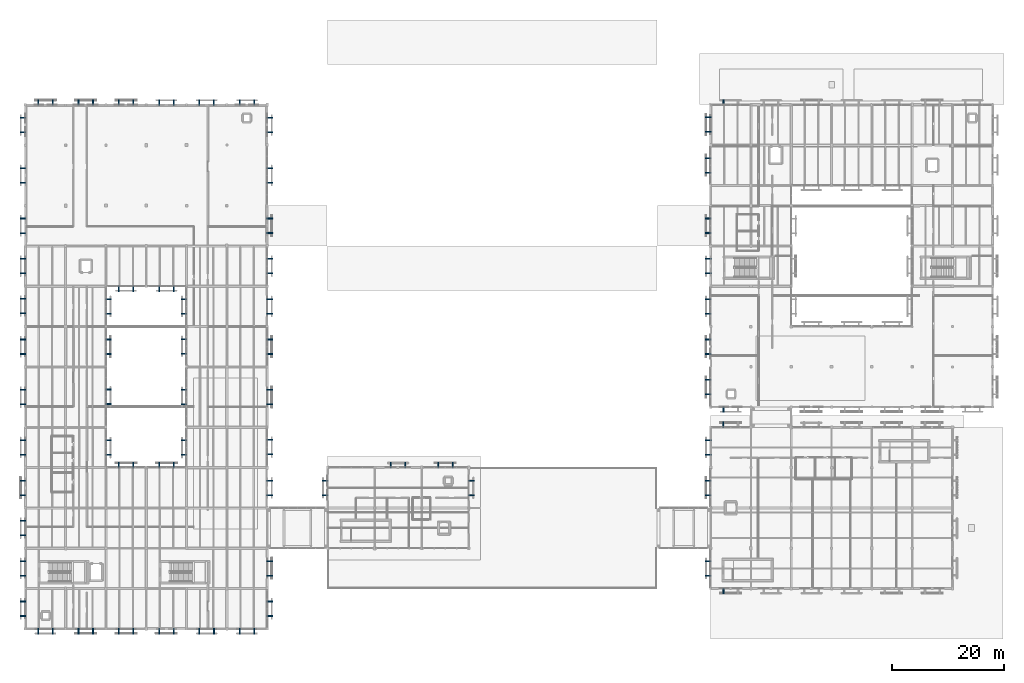
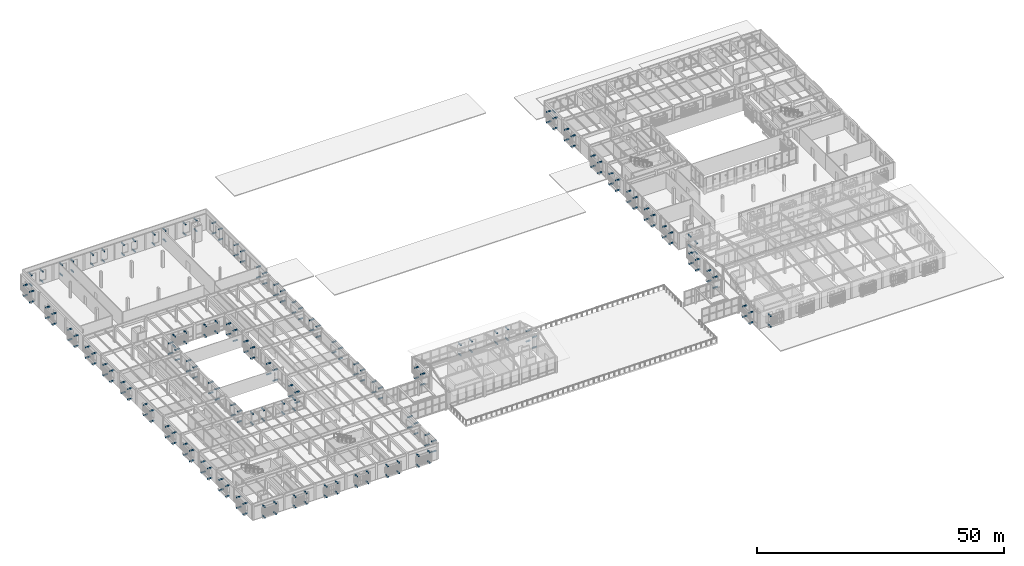
# One storey, part 92 of 112: 251 discrete accessories.
"""IFC4 building model written with IfcOpenShell, lengths in metres."""

import ifcopenshell
import ifcopenshell.guid

model = None  # the IFC model being written
_history = None  # IfcOwnerHistory: only IFC2X3 demands one
_inside = {}  # id of a spatial element -> (the spatial element, [elements in it])
_under = {}  # id of a project, library or spatial element -> (it, [spatial elements below it])
_declared = {}  # id of a project -> (the project, [libraries it declares])
_typed = {}  # id of a type object -> (the type object, [elements of that type])
_made_of = {}  # id of a material, layer set ... -> (it, [elements and type objects made of it])


def new_model(schema):
    """Start an empty IFC model of exactly this schema.

    Asked for "IFC4X3", IfcOpenShell would pick the latest addendum, in which some entities
    have other attributes; the version numbers below select the first issue.
    IFC2X3 requires an IfcOwnerHistory on every rooted entity: one is made here for all.
    """
    global model, _history
    if schema == "IFC4X3":
        model = ifcopenshell.file(schema_version=(4, 3, 0, 0))
    else:
        model = ifcopenshell.file(schema=schema)
    _inside.clear()
    _under.clear()
    _declared.clear()
    _typed.clear()
    _made_of.clear()
    _history = None
    if model.schema == "IFC2X3":
        org = make("IfcOrganization", Name="unknown")
        user = make(
            "IfcPersonAndOrganization",
            ThePerson=make("IfcPerson", FamilyName="unknown"),
            TheOrganization=org,
        )
        app = make(
            "IfcApplication",
            ApplicationDeveloper=org,
            Version="unknown",
            ApplicationFullName="unknown",
            ApplicationIdentifier="unknown",
        )
        _history = make(
            "IfcOwnerHistory",
            OwningUser=user,
            OwningApplication=app,
            ChangeAction="ADDED",
            CreationDate=0,
        )
    return model


def make(cls, **values):
    """One entity of the class cls with the attributes given. An attribute that is None is left unset."""
    return model.create_entity(
        cls, **{name: value for name, value in values.items() if value is not None}
    )


def rooted(cls, **values):
    """An entity with a GlobalId (a new one), such as an element, a storey or a relation."""
    return make(cls, GlobalId=ifcopenshell.guid.new(), OwnerHistory=_history, **values)


def si_unit(unit_type, name, prefix=None):
    """IfcSIUnit, for example si_unit("LENGTHUNIT", "METRE", prefix="MILLI")."""
    return make("IfcSIUnit", UnitType=unit_type, Prefix=prefix, Name=name)


def assignment(units):
    """IfcUnitAssignment: the units of a project."""
    return None if units is None else make("IfcUnitAssignment", Units=units)


def point(xyz):
    """IfcCartesianPoint."""
    return None if xyz is None else make("IfcCartesianPoint", Coordinates=xyz)


def direction(xyz):
    """IfcDirection."""
    return None if xyz is None else make("IfcDirection", DirectionRatios=xyz)


def frame(location, z_axis=None, x_axis=None):
    """IfcAxis2Placement3D, a coordinate frame: its origin and axes. An axis left out is left unset."""
    return make(
        "IfcAxis2Placement3D",
        Location=point(location),
        Axis=direction(z_axis),
        RefDirection=direction(x_axis),
    )


def frame_2d(location, x_axis=None):
    """IfcAxis2Placement2D, a coordinate frame in the plane: its origin and x axis."""
    return make(
        "IfcAxis2Placement2D", Location=point(location), RefDirection=direction(x_axis)
    )


def origin():
    """The frame at (0, 0, 0) with its axes left unset."""
    return frame((0.0, 0.0, 0.0))


def origin_2d():
    """The frame at (0, 0) in the plane with its x axis left unset."""
    return frame_2d((0.0, 0.0))


def place(relative_to, where):
    """IfcLocalPlacement: puts the frame where relative to a parent placement (None: the world)."""
    return make(
        "IfcLocalPlacement", PlacementRelTo=relative_to, RelativePlacement=where
    )


def context(
    kind, dimensions, precision=None, world=None, true_north=None, identifier=None
):
    """IfcGeometricRepresentationContext, for example the 3D "Model" context."""
    return make(
        "IfcGeometricRepresentationContext",
        ContextIdentifier=identifier,
        ContextType=kind,
        CoordinateSpaceDimension=dimensions,
        Precision=precision,
        WorldCoordinateSystem=world,
        TrueNorth=true_north,
    )


def subcontext(parent, identifier, kind, view, scale=None):
    """IfcGeometricRepresentationSubContext, for example "Body" below "Model"."""
    return make(
        "IfcGeometricRepresentationSubContext",
        ContextIdentifier=identifier,
        ContextType=kind,
        ParentContext=parent,
        TargetScale=scale,
        TargetView=view,
    )


def project(units=None, contexts=None):
    """IfcProject with its units and contexts."""
    return rooted(
        "IfcProject",
        Name="project",
        RepresentationContexts=contexts,
        UnitsInContext=assignment(units),
    )


def spatial(cls, under=None, at=None, **own):
    """A site, building, storey or space (cls), placed at a placement, below another one or the project."""
    s = rooted(cls, ObjectPlacement=at, **own)
    if under is not None:
        _under.setdefault(under.id(), (under, []))[1].append(s)
    return s


def profile(cls, at=None, kind="AREA", **sizes):
    """A parametric profile (cls). Its sizes go by their IFC names, for example OverallWidth=200.0."""
    return make(cls, ProfileType=kind, Position=at, **sizes)


def rectangle(**sizes):
    """IfcRectangleProfileDef."""
    return profile("IfcRectangleProfileDef", **sizes)


def extrude(swept, where, along, depth):
    """IfcExtrudedAreaSolid: the profile swept, set in the frame where, extruded along a direction by depth."""
    return make(
        "IfcExtrudedAreaSolid",
        SweptArea=swept,
        Position=where,
        ExtrudedDirection=direction(along),
        Depth=depth,
    )


def shape(context_of_items, identifier, shape_type, items):
    """IfcShapeRepresentation: the items that make up one representation, for example the "Body"."""
    return make(
        "IfcShapeRepresentation",
        ContextOfItems=context_of_items,
        RepresentationIdentifier=identifier,
        RepresentationType=shape_type,
        Items=items,
    )


def material(Name=None, Category=None):
    """IfcMaterial."""
    return make("IfcMaterial", Name=Name, Category=Category)


def made_of(thing, what):
    """Note that an element or type object is made of a material, layer set ...; save() writes the relation."""
    if what is not None:
        _made_of.setdefault(what.id(), (what, []))[1].append(thing)
    return thing


def type_object(cls, material=None, **own):
    """A type object (cls), such as IfcWallType, which elements share."""
    return made_of(rooted(cls, **own), material)


def element(
    cls,
    number,
    at=None,
    inside=None,
    cuts=None,
    type_object=None,
    material=None,
    context=None,
    identifier="Body",
    shape_type=None,
    held_by="IfcProductDefinitionShape",
    body=None,
    shapes=None,
    **own,
):
    """One element of the class cls, such as IfcWall. Its Tag is "e" and its number.

    at: its placement. inside: the storey or other place that contains it. cuts: it is an
    opening in that element (IfcRelVoidsElement). A single representation is given by context,
    identifier, shape_type and body (its items); several are given by shapes. held_by: the class
    of the entity that holds the representations. save() writes the other relations.
    """
    e = rooted(cls, Tag="e%d" % number, ObjectPlacement=at, **own)
    if body is not None:
        shapes = [shape(context, identifier, shape_type, body)]
    if shapes is not None:
        e.Representation = make(held_by, Representations=shapes)
    if inside is not None:
        _inside.setdefault(inside.id(), (inside, []))[1].append(e)
    if cuts is not None:
        rooted(
            "IfcRelVoidsElement", RelatingBuildingElement=cuts, RelatedOpeningElement=e
        )
    if type_object is not None:
        _typed.setdefault(type_object.id(), (type_object, []))[1].append(e)
    return made_of(e, material)


def aggregate(whole, parts):
    """IfcRelAggregates: a whole, such as a stair, and the parts it consists of."""
    return rooted("IfcRelAggregates", RelatingObject=whole, RelatedObjects=parts)


def save(model, path):
    """Write the relations noted so far, then the file.

    IfcRelAggregates (storeys below a building ...), IfcRelContainedInSpatialStructure (elements
    in a storey), IfcRelDefinesByType, IfcRelAssociatesMaterial and IfcRelDeclares: one each for
    every whole, place, type object, material and project.
    """
    for whole, parts in _under.values():
        aggregate(whole, parts)
    for where, things in _inside.values():
        rooted(
            "IfcRelContainedInSpatialStructure",
            RelatedElements=things,
            RelatingStructure=where,
        )
    for kind, things in _typed.values():
        rooted("IfcRelDefinesByType", RelatedObjects=things, RelatingType=kind)
    for what, things in _made_of.values():
        rooted("IfcRelAssociatesMaterial", RelatedObjects=things, RelatingMaterial=what)
    for by, libraries in _declared.values():
        rooted("IfcRelDeclares", RelatingContext=by, RelatedDefinitions=libraries)
    model.write(path)


model = new_model("IFC4")

# Units and contexts
model_context = context("Model", 3, precision=1e-05, world=origin(), true_north=direction((0.0, 1.0)))
body_context = subcontext(model_context, "Body", "Model", "MODEL_VIEW")
ifc_project = project(units=[si_unit("LENGTHUNIT", "METRE"), si_unit("AREAUNIT", "SQUARE_METRE"), si_unit("VOLUMEUNIT", "CUBIC_METRE"), si_unit("PLANEANGLEUNIT", "RADIAN"), si_unit("MASSUNIT", "GRAM", prefix="KILO")], contexts=[model_context])

# Site, building, storey
site_placement = place(None, origin())
site = spatial("IfcSite", under=ifc_project, at=site_placement, CompositionType="ELEMENT")
building_placement = place(site_placement, origin())
building = spatial("IfcBuilding", under=site, at=building_placement, Name="Mazaris Harbour Polytechnic", CompositionType="ELEMENT")
storey_placement = place(building_placement, frame((0.0, 0.0, 13.800048828125)))
storey = spatial("IfcBuildingStorey", under=building, at=storey_placement, Name="L03", CompositionType="ELEMENT", Elevation=13.800048828125)

# Discrete accessories
ifc_material = material(Name="Stainless Steel S355", Category="steel")
discrete_accessory_type = type_object("IfcDiscreteAccessoryType", Name="Stainless Screen Outrigger Bracket 200x1020x200", PredefinedType="BRACKET", material=ifc_material)
for number, where, z_axis, x_axis, name in (
    (1, (124.698974609375, 13.9599609375, 0.16015625), (0.0, 0.0, 1.0), (-1.0, 0.0, 0.0), "Screen Outrigger Bracket 355"),
    (2, (124.698974609375, 13.9599609375, 2.73974609375), (0.0, 0.0, 1.0), (-1.0, 0.0, 0.0), "Screen Outrigger Bracket 356"),
    (3, (124.68896484375, 43.639892578125, 0.16015625), (0.0, 0.0, 1.0), (1.0, 0.0, 0.0), "Screen Outrigger Bracket 377"),
    (4, (124.68896484375, 43.639892578125, 2.73974609375), (0.0, 0.0, 1.0), (1.0, 0.0, 0.0), "Screen Outrigger Bracket 378"),
    (5, (121.9599609375, 16.694091796875, 0.16015625), (0.0, 0.0, 1.0), (0.0, 1.0, 0.0), "Screen Outrigger Bracket 397"),
    (6, (121.9599609375, 16.694091796875, 2.73974609375), (0.0, 0.0, 1.0), (0.0, 1.0, 0.0), "Screen Outrigger Bracket 398"),
    (7, (121.9599609375, 19.285888671875, 0.16015625), (0.0, 0.0, 1.0), (0.0, 1.0, 0.0), "Screen Outrigger Bracket 399"),
    (8, (121.9599609375, 19.285888671875, 2.73974609375), (0.0, 0.0, 1.0), (0.0, 1.0, 0.0), "Screen Outrigger Bracket 400"),
    (9, (121.9599609375, 31.093994140625, 0.16015625), (0.0, 0.0, 1.0), (0.0, 1.0, 0.0), "Screen Outrigger Bracket 401"),
    (10, (121.9599609375, 31.093994140625, 2.73974609375), (0.0, 0.0, 1.0), (0.0, 1.0, 0.0), "Screen Outrigger Bracket 402"),
    (11, (121.9599609375, 33.68603515625, 0.16015625), (0.0, 0.0, 1.0), (0.0, 1.0, 0.0), "Screen Outrigger Bracket 403"),
    (12, (121.9599609375, 33.68603515625, 2.73974609375), (0.0, 0.0, 1.0), (0.0, 1.0, 0.0), "Screen Outrigger Bracket 404"),
    (13, (121.9599609375, 38.30908203125, 0.16015625), (0.0, 0.0, 1.0), (0.0, 1.0, 0.0), "Screen Outrigger Bracket 405"),
    (14, (121.9599609375, 38.30908203125, 2.73974609375), (0.0, 0.0, 1.0), (0.0, 1.0, 0.0), "Screen Outrigger Bracket 406"),
    (15, (121.9599609375, 40.90087890625, 0.16015625), (0.0, 0.0, 1.0), (0.0, 1.0, 0.0), "Screen Outrigger Bracket 407"),
    (16, (121.9599609375, 40.90087890625, 2.73974609375), (0.0, 0.0, 1.0), (0.0, 1.0, 0.0), "Screen Outrigger Bracket 408"),
    (17, (65.27392578125, 36.43994140625, 0.16015625), (0.0, 0.0, 1.0), (1.0, 0.0, 0.0), "Screen Outrigger Bracket 525"),
    (18, (65.27392578125, 36.43994140625, 2.73974609375), (0.0, 0.0, 1.0), (1.0, 0.0, 0.0), "Screen Outrigger Bracket 526"),
    (19, (67.865966796875, 36.43994140625, 0.16015625), (0.0, 0.0, 1.0), (1.0, 0.0, 0.0), "Screen Outrigger Bracket 527"),
    (20, (67.865966796875, 36.43994140625, 2.73974609375), (0.0, 0.0, 1.0), (1.0, 0.0, 0.0), "Screen Outrigger Bracket 528"),
    (21, (73.718994140625, 36.43994140625, 0.16015625), (0.0, 0.0, 1.0), (1.0, 0.0, 0.0), "Screen Outrigger Bracket 529"),
    (22, (73.718994140625, 36.43994140625, 2.73974609375), (0.0, 0.0, 1.0), (1.0, 0.0, 0.0), "Screen Outrigger Bracket 530"),
    (23, (76.31103515625, 36.43994140625, 0.16015625), (0.0, 0.0, 1.0), (1.0, 0.0, 0.0), "Screen Outrigger Bracket 531"),
    (24, (76.31103515625, 36.43994140625, 2.73974609375), (0.0, 0.0, 1.0), (1.0, 0.0, 0.0), "Screen Outrigger Bracket 532"),
    (25, (53.56005859375, 31.089111328125, 0.16015625), (0.0, 0.0, 1.0), (0.0, 1.0, 0.0), "Screen Outrigger Bracket 533"),
    (26, (53.56005859375, 31.089111328125, 2.73974609375), (0.0, 0.0, 1.0), (0.0, 1.0, 0.0), "Screen Outrigger Bracket 534"),
    (27, (53.56005859375, 33.680908203125, 0.16015625), (0.0, 0.0, 1.0), (0.0, 1.0, 0.0), "Screen Outrigger Bracket 535"),
    (28, (53.56005859375, 33.680908203125, 2.73974609375), (0.0, 0.0, 1.0), (0.0, 1.0, 0.0), "Screen Outrigger Bracket 536"),
    (29, (79.639892578125, 33.680908203125, 0.16015625), (0.0, 0.0, 1.0), (0.0, -1.0, 0.0), "Screen Outrigger Bracket 537"),
    (30, (79.639892578125, 33.680908203125, 2.73974609375), (0.0, 0.0, 1.0), (0.0, -1.0, 0.0), "Screen Outrigger Bracket 538"),
    (31, (79.639892578125, 31.089111328125, 0.16015625), (0.0, 0.0, 1.0), (0.0, -1.0, 0.0), "Screen Outrigger Bracket 539"),
    (32, (79.639892578125, 31.089111328125, 2.73974609375), (0.0, 0.0, 1.0), (0.0, -1.0, 0.0), "Screen Outrigger Bracket 540"),
    (33, (4.89111328125, 6.760009765625, 0.16015625), (0.0, 0.0, 1.0), (-1.0, 0.0, 0.0), "Screen Outrigger Bracket 985"),
    (34, (4.89111328125, 6.760009765625, 2.73974609375), (0.0, 0.0, 1.0), (-1.0, 0.0, 0.0), "Screen Outrigger Bracket 986"),
    (35, (2.299072265625, 6.760009765625, 0.16015625), (0.0, 0.0, 1.0), (-1.0, 0.0, 0.0), "Screen Outrigger Bracket 987"),
    (36, (2.299072265625, 6.760009765625, 2.73974609375), (0.0, 0.0, 1.0), (-1.0, 0.0, 0.0), "Screen Outrigger Bracket 988"),
    (37, (12.0810546875, 6.760009765625, 0.16015625), (0.0, 0.0, 1.0), (-1.0, 0.0, 0.0), "Screen Outrigger Bracket 989"),
    (38, (12.0810546875, 6.760009765625, 2.73974609375), (0.0, 0.0, 1.0), (-1.0, 0.0, 0.0), "Screen Outrigger Bracket 990"),
    (39, (9.489013671875, 6.760009765625, 0.16015625), (0.0, 0.0, 1.0), (-1.0, 0.0, 0.0), "Screen Outrigger Bracket 991"),
    (40, (9.489013671875, 6.760009765625, 2.73974609375), (0.0, 0.0, 1.0), (-1.0, 0.0, 0.0), "Screen Outrigger Bracket 992"),
    (41, (19.291015625, 6.760009765625, 0.16015625), (0.0, 0.0, 1.0), (-1.0, 0.0, 0.0), "Screen Outrigger Bracket 993"),
    (42, (19.291015625, 6.760009765625, 2.73974609375), (0.0, 0.0, 1.0), (-1.0, 0.0, 0.0), "Screen Outrigger Bracket 994"),
    (43, (16.698974609375, 6.760009765625, 0.16015625), (0.0, 0.0, 1.0), (-1.0, 0.0, 0.0), "Screen Outrigger Bracket 995"),
    (44, (16.698974609375, 6.760009765625, 2.73974609375), (0.0, 0.0, 1.0), (-1.0, 0.0, 0.0), "Screen Outrigger Bracket 996"),
    (45, (26.510986328125, 6.760009765625, 0.16015625), (0.0, 0.0, 1.0), (-1.0, 0.0, 0.0), "Screen Outrigger Bracket 997"),
    (46, (26.510986328125, 6.760009765625, 2.73974609375), (0.0, 0.0, 1.0), (-1.0, 0.0, 0.0), "Screen Outrigger Bracket 998"),
    (47, (23.9189453125, 6.760009765625, 0.16015625), (0.0, 0.0, 1.0), (-1.0, 0.0, 0.0), "Screen Outrigger Bracket 999"),
    (48, (23.9189453125, 6.760009765625, 2.73974609375), (0.0, 0.0, 1.0), (-1.0, 0.0, 0.0), "Screen Outrigger Bracket 1000"),
    (49, (33.69091796875, 6.760009765625, 0.16015625), (0.0, 0.0, 1.0), (-1.0, 0.0, 0.0), "Screen Outrigger Bracket 1001"),
    (50, (33.69091796875, 6.760009765625, 2.73974609375), (0.0, 0.0, 1.0), (-1.0, 0.0, 0.0), "Screen Outrigger Bracket 1002"),
    (51, (31.09912109375, 6.760009765625, 0.16015625), (0.0, 0.0, 1.0), (-1.0, 0.0, 0.0), "Screen Outrigger Bracket 1003"),
    (52, (31.09912109375, 6.760009765625, 2.73974609375), (0.0, 0.0, 1.0), (-1.0, 0.0, 0.0), "Screen Outrigger Bracket 1004"),
    (53, (40.881103515625, 6.760009765625, 0.16015625), (0.0, 0.0, 1.0), (-1.0, 0.0, 0.0), "Screen Outrigger Bracket 1005"),
    (54, (40.881103515625, 6.760009765625, 2.73974609375), (0.0, 0.0, 1.0), (-1.0, 0.0, 0.0), "Screen Outrigger Bracket 1006"),
    (55, (38.2890625, 6.760009765625, 0.16015625), (0.0, 0.0, 1.0), (-1.0, 0.0, 0.0), "Screen Outrigger Bracket 1007"),
    (56, (38.2890625, 6.760009765625, 2.73974609375), (0.0, 0.0, 1.0), (-1.0, 0.0, 0.0), "Screen Outrigger Bracket 1008"),
    (57, (2.333984375, 101.239990234375, 0.16015625), (0.0, 0.0, 1.0), (1.0, 0.0, 0.0), "Screen Outrigger Bracket 1009"),
    (58, (2.333984375, 101.239990234375, 2.73974609375), (0.0, 0.0, 1.0), (1.0, 0.0, 0.0), "Screen Outrigger Bracket 1010"),
    (59, (4.926025390625, 101.239990234375, 0.16015625), (0.0, 0.0, 1.0), (1.0, 0.0, 0.0), "Screen Outrigger Bracket 1011"),
    (60, (4.926025390625, 101.239990234375, 2.73974609375), (0.0, 0.0, 1.0), (1.0, 0.0, 0.0), "Screen Outrigger Bracket 1012"),
    (61, (9.4990234375, 101.239990234375, 0.16015625), (0.0, 0.0, 1.0), (1.0, 0.0, 0.0), "Screen Outrigger Bracket 1013"),
    (62, (9.4990234375, 101.239990234375, 2.73974609375), (0.0, 0.0, 1.0), (1.0, 0.0, 0.0), "Screen Outrigger Bracket 1014"),
    (63, (12.091064453125, 101.239990234375, 0.16015625), (0.0, 0.0, 1.0), (1.0, 0.0, 0.0), "Screen Outrigger Bracket 1015"),
    (64, (12.091064453125, 101.239990234375, 2.73974609375), (0.0, 0.0, 1.0), (1.0, 0.0, 0.0), "Screen Outrigger Bracket 1016"),
    (65, (16.718994140625, 101.239990234375, 0.16015625), (0.0, 0.0, 1.0), (1.0, 0.0, 0.0), "Screen Outrigger Bracket 1017"),
    (66, (16.718994140625, 101.239990234375, 2.73974609375), (0.0, 0.0, 1.0), (1.0, 0.0, 0.0), "Screen Outrigger Bracket 1018"),
    (67, (19.31103515625, 101.239990234375, 0.16015625), (0.0, 0.0, 1.0), (1.0, 0.0, 0.0), "Screen Outrigger Bracket 1019"),
    (68, (19.31103515625, 101.239990234375, 2.73974609375), (0.0, 0.0, 1.0), (1.0, 0.0, 0.0), "Screen Outrigger Bracket 1020"),
    (69, (23.89892578125, 101.239990234375, 0.16015625), (0.0, 0.0, 1.0), (1.0, 0.0, 0.0), "Screen Outrigger Bracket 1021"),
    (70, (23.89892578125, 101.239990234375, 2.73974609375), (0.0, 0.0, 1.0), (1.0, 0.0, 0.0), "Screen Outrigger Bracket 1022"),
    (71, (26.490966796875, 101.239990234375, 0.16015625), (0.0, 0.0, 1.0), (1.0, 0.0, 0.0), "Screen Outrigger Bracket 1023"),
    (72, (26.490966796875, 101.239990234375, 2.73974609375), (0.0, 0.0, 1.0), (1.0, 0.0, 0.0), "Screen Outrigger Bracket 1024"),
    (73, (31.089111328125, 101.239990234375, 0.16015625), (0.0, 0.0, 1.0), (1.0, 0.0, 0.0), "Screen Outrigger Bracket 1025"),
    (74, (31.089111328125, 101.239990234375, 2.73974609375), (0.0, 0.0, 1.0), (1.0, 0.0, 0.0), "Screen Outrigger Bracket 1026"),
    (75, (33.680908203125, 101.239990234375, 0.16015625), (0.0, 0.0, 1.0), (1.0, 0.0, 0.0), "Screen Outrigger Bracket 1027"),
    (76, (33.680908203125, 101.239990234375, 2.73974609375), (0.0, 0.0, 1.0), (1.0, 0.0, 0.0), "Screen Outrigger Bracket 1028"),
    (77, (38.299072265625, 101.239990234375, 0.16015625), (0.0, 0.0, 1.0), (1.0, 0.0, 0.0), "Screen Outrigger Bracket 1029"),
    (78, (38.299072265625, 101.239990234375, 2.73974609375), (0.0, 0.0, 1.0), (1.0, 0.0, 0.0), "Screen Outrigger Bracket 1030"),
    (79, (40.89111328125, 101.239990234375, 0.16015625), (0.0, 0.0, 1.0), (1.0, 0.0, 0.0), "Screen Outrigger Bracket 1031"),
    (80, (40.89111328125, 101.239990234375, 2.73974609375), (0.0, 0.0, 1.0), (1.0, 0.0, 0.0), "Screen Outrigger Bracket 1032"),
    (81, (-0.43994140625, 9.493896484375, 0.16015625), (0.0, 0.0, 1.0), (0.0, 1.0, 0.0), "Screen Outrigger Bracket 1033"),
    (82, (-0.43994140625, 9.493896484375, 2.73974609375), (0.0, 0.0, 1.0), (0.0, 1.0, 0.0), "Screen Outrigger Bracket 1034"),
    (83, (-0.43994140625, 12.0859375, 0.16015625), (0.0, 0.0, 1.0), (0.0, 1.0, 0.0), "Screen Outrigger Bracket 1035"),
    (84, (-0.43994140625, 12.0859375, 2.73974609375), (0.0, 0.0, 1.0), (0.0, 1.0, 0.0), "Screen Outrigger Bracket 1036"),
    (85, (-0.43994140625, 16.694091796875, 0.16015625), (0.0, 0.0, 1.0), (0.0, 1.0, 0.0), "Screen Outrigger Bracket 1037"),
    (86, (-0.43994140625, 16.694091796875, 2.73974609375), (0.0, 0.0, 1.0), (0.0, 1.0, 0.0), "Screen Outrigger Bracket 1038"),
    (87, (-0.43994140625, 19.285888671875, 0.16015625), (0.0, 0.0, 1.0), (0.0, 1.0, 0.0), "Screen Outrigger Bracket 1039"),
    (88, (-0.43994140625, 19.285888671875, 2.73974609375), (0.0, 0.0, 1.0), (0.0, 1.0, 0.0), "Screen Outrigger Bracket 1040"),
    (89, (-0.43994140625, 23.89404296875, 0.16015625), (0.0, 0.0, 1.0), (0.0, 1.0, 0.0), "Screen Outrigger Bracket 1041"),
    (90, (-0.43994140625, 23.89404296875, 2.73974609375), (0.0, 0.0, 1.0), (0.0, 1.0, 0.0), "Screen Outrigger Bracket 1042"),
    (91, (-0.43994140625, 26.486083984375, 0.16015625), (0.0, 0.0, 1.0), (0.0, 1.0, 0.0), "Screen Outrigger Bracket 1043"),
    (92, (-0.43994140625, 26.486083984375, 2.73974609375), (0.0, 0.0, 1.0), (0.0, 1.0, 0.0), "Screen Outrigger Bracket 1044"),
    (93, (-0.43994140625, 31.093994140625, 0.16015625), (0.0, 0.0, 1.0), (0.0, 1.0, 0.0), "Screen Outrigger Bracket 1045"),
    (94, (-0.43994140625, 31.093994140625, 2.73974609375), (0.0, 0.0, 1.0), (0.0, 1.0, 0.0), "Screen Outrigger Bracket 1046"),
    (95, (-0.43994140625, 33.68603515625, 0.16015625), (0.0, 0.0, 1.0), (0.0, 1.0, 0.0), "Screen Outrigger Bracket 1047"),
    (96, (-0.43994140625, 33.68603515625, 2.73974609375), (0.0, 0.0, 1.0), (0.0, 1.0, 0.0), "Screen Outrigger Bracket 1048"),
    (97, (-0.43994140625, 38.30908203125, 0.16015625), (0.0, 0.0, 1.0), (0.0, 1.0, 0.0), "Screen Outrigger Bracket 1049"),
    (98, (-0.43994140625, 38.30908203125, 2.73974609375), (0.0, 0.0, 1.0), (0.0, 1.0, 0.0), "Screen Outrigger Bracket 1050"),
    (99, (-0.43994140625, 40.90087890625, 0.16015625), (0.0, 0.0, 1.0), (0.0, 1.0, 0.0), "Screen Outrigger Bracket 1051"),
    (100, (-0.43994140625, 40.90087890625, 2.73974609375), (0.0, 0.0, 1.0), (0.0, 1.0, 0.0), "Screen Outrigger Bracket 1052"),
    (101, (-0.43994140625, 47.2890625, 0.16015625), (0.0, 0.0, 1.0), (0.0, 1.0, 0.0), "Screen Outrigger Bracket 1053"),
    (102, (-0.43994140625, 47.2890625, 2.73974609375), (0.0, 0.0, 1.0), (0.0, 1.0, 0.0), "Screen Outrigger Bracket 1054"),
    (103, (-0.43994140625, 49.881103515625, 0.16015625), (0.0, 0.0, 1.0), (0.0, 1.0, 0.0), "Screen Outrigger Bracket 1055"),
    (104, (-0.43994140625, 49.881103515625, 2.73974609375), (0.0, 0.0, 1.0), (0.0, 1.0, 0.0), "Screen Outrigger Bracket 1056"),
    (105, (-0.43994140625, 56.2890625, 0.16015625), (0.0, 0.0, 1.0), (0.0, 1.0, 0.0), "Screen Outrigger Bracket 1057"),
    (106, (-0.43994140625, 56.2890625, 2.73974609375), (0.0, 0.0, 1.0), (0.0, 1.0, 0.0), "Screen Outrigger Bracket 1058"),
    (107, (-0.43994140625, 58.881103515625, 0.16015625), (0.0, 0.0, 1.0), (0.0, 1.0, 0.0), "Screen Outrigger Bracket 1059"),
    (108, (-0.43994140625, 58.881103515625, 2.73974609375), (0.0, 0.0, 1.0), (0.0, 1.0, 0.0), "Screen Outrigger Bracket 1060"),
    (109, (-0.43994140625, 63.569091796875, 0.16015625), (0.0, 0.0, 1.0), (0.0, 1.0, 0.0), "Screen Outrigger Bracket 1061"),
    (110, (-0.43994140625, 63.569091796875, 2.73974609375), (0.0, 0.0, 1.0), (0.0, 1.0, 0.0), "Screen Outrigger Bracket 1062"),
    (111, (-0.43994140625, 66.160888671875, 0.16015625), (0.0, 0.0, 1.0), (0.0, 1.0, 0.0), "Screen Outrigger Bracket 1063"),
    (112, (-0.43994140625, 66.160888671875, 2.73974609375), (0.0, 0.0, 1.0), (0.0, 1.0, 0.0), "Screen Outrigger Bracket 1064"),
    (113, (-0.43994140625, 70.694091796875, 0.16015625), (0.0, 0.0, 1.0), (0.0, 1.0, 0.0), "Screen Outrigger Bracket 1065"),
    (114, (-0.43994140625, 70.694091796875, 2.73974609375), (0.0, 0.0, 1.0), (0.0, 1.0, 0.0), "Screen Outrigger Bracket 1066"),
    (115, (-0.43994140625, 73.285888671875, 0.16015625), (0.0, 0.0, 1.0), (0.0, 1.0, 0.0), "Screen Outrigger Bracket 1067"),
    (116, (-0.43994140625, 73.285888671875, 2.73974609375), (0.0, 0.0, 1.0), (0.0, 1.0, 0.0), "Screen Outrigger Bracket 1068"),
    (117, (-0.43994140625, 77.89404296875, 0.16015625), (0.0, 0.0, 1.0), (0.0, 1.0, 0.0), "Screen Outrigger Bracket 1069"),
    (118, (-0.43994140625, 77.89404296875, 2.73974609375), (0.0, 0.0, 1.0), (0.0, 1.0, 0.0), "Screen Outrigger Bracket 1070"),
    (119, (-0.43994140625, 80.486083984375, 0.16015625), (0.0, 0.0, 1.0), (0.0, 1.0, 0.0), "Screen Outrigger Bracket 1071"),
    (120, (-0.43994140625, 80.486083984375, 2.73974609375), (0.0, 0.0, 1.0), (0.0, 1.0, 0.0), "Screen Outrigger Bracket 1072"),
    (121, (-0.43994140625, 86.89404296875, 0.16015625), (0.0, 0.0, 1.0), (0.0, 1.0, 0.0), "Screen Outrigger Bracket 1073"),
    (122, (-0.43994140625, 86.89404296875, 2.73974609375), (0.0, 0.0, 1.0), (0.0, 1.0, 0.0), "Screen Outrigger Bracket 1074"),
    (123, (-0.43994140625, 89.486083984375, 0.16015625), (0.0, 0.0, 1.0), (0.0, 1.0, 0.0), "Screen Outrigger Bracket 1075"),
    (124, (-0.43994140625, 89.486083984375, 2.73974609375), (0.0, 0.0, 1.0), (0.0, 1.0, 0.0), "Screen Outrigger Bracket 1076"),
    (125, (-0.43994140625, 95.89404296875, 0.16015625), (0.0, 0.0, 1.0), (0.0, 1.0, 0.0), "Screen Outrigger Bracket 1077"),
    (126, (-0.43994140625, 95.89404296875, 2.73974609375), (0.0, 0.0, 1.0), (0.0, 1.0, 0.0), "Screen Outrigger Bracket 1078"),
    (127, (-0.43994140625, 98.486083984375, 0.16015625), (0.0, 0.0, 1.0), (0.0, 1.0, 0.0), "Screen Outrigger Bracket 1079"),
    (128, (-0.43994140625, 98.486083984375, 2.73974609375), (0.0, 0.0, 1.0), (0.0, 1.0, 0.0), "Screen Outrigger Bracket 1080"),
    (129, (43.639892578125, 12.0859375, 0.16015625), (0.0, 0.0, 1.0), (0.0, -1.0, 0.0), "Screen Outrigger Bracket 1081"),
    (130, (43.639892578125, 12.0859375, 2.73974609375), (0.0, 0.0, 1.0), (0.0, -1.0, 0.0), "Screen Outrigger Bracket 1082"),
    (131, (43.639892578125, 9.493896484375, 0.16015625), (0.0, 0.0, 1.0), (0.0, -1.0, 0.0), "Screen Outrigger Bracket 1083"),
    (132, (43.639892578125, 9.493896484375, 2.73974609375), (0.0, 0.0, 1.0), (0.0, -1.0, 0.0), "Screen Outrigger Bracket 1084"),
    (133, (43.639892578125, 19.301025390625, 0.16015625), (0.0, 0.0, 1.0), (0.0, -1.0, 0.0), "Screen Outrigger Bracket 1085"),
    (134, (43.639892578125, 19.301025390625, 2.73974609375), (0.0, 0.0, 1.0), (0.0, -1.0, 0.0), "Screen Outrigger Bracket 1086"),
    (135, (43.639892578125, 16.708984375, 0.16015625), (0.0, 0.0, 1.0), (0.0, -1.0, 0.0), "Screen Outrigger Bracket 1087"),
    (136, (43.639892578125, 16.708984375, 2.73974609375), (0.0, 0.0, 1.0), (0.0, -1.0, 0.0), "Screen Outrigger Bracket 1088"),
    (137, (43.639892578125, 33.680908203125, 0.16015625), (0.0, 0.0, 1.0), (0.0, -1.0, 0.0), "Screen Outrigger Bracket 1089"),
    (138, (43.639892578125, 33.680908203125, 2.73974609375), (0.0, 0.0, 1.0), (0.0, -1.0, 0.0), "Screen Outrigger Bracket 1090"),
    (139, (43.639892578125, 31.089111328125, 0.16015625), (0.0, 0.0, 1.0), (0.0, -1.0, 0.0), "Screen Outrigger Bracket 1091"),
    (140, (43.639892578125, 31.089111328125, 2.73974609375), (0.0, 0.0, 1.0), (0.0, -1.0, 0.0), "Screen Outrigger Bracket 1092"),
    (141, (43.639892578125, 40.9609375, 0.16015625), (0.0, 0.0, 1.0), (0.0, -1.0, 0.0), "Screen Outrigger Bracket 1093"),
    (142, (43.639892578125, 40.9609375, 2.73974609375), (0.0, 0.0, 1.0), (0.0, -1.0, 0.0), "Screen Outrigger Bracket 1094"),
    (143, (43.639892578125, 38.368896484375, 0.16015625), (0.0, 0.0, 1.0), (0.0, -1.0, 0.0), "Screen Outrigger Bracket 1095"),
    (144, (43.639892578125, 38.368896484375, 2.73974609375), (0.0, 0.0, 1.0), (0.0, -1.0, 0.0), "Screen Outrigger Bracket 1096"),
    (145, (43.639892578125, 49.885986328125, 0.16015625), (0.0, 0.0, 1.0), (0.0, -1.0, 0.0), "Screen Outrigger Bracket 1097"),
    (146, (43.639892578125, 49.885986328125, 2.73974609375), (0.0, 0.0, 1.0), (0.0, -1.0, 0.0), "Screen Outrigger Bracket 1098"),
    (147, (43.639892578125, 47.2939453125, 0.16015625), (0.0, 0.0, 1.0), (0.0, -1.0, 0.0), "Screen Outrigger Bracket 1099"),
    (148, (43.639892578125, 47.2939453125, 2.73974609375), (0.0, 0.0, 1.0), (0.0, -1.0, 0.0), "Screen Outrigger Bracket 1100"),
    (149, (43.639892578125, 58.885986328125, 0.16015625), (0.0, 0.0, 1.0), (0.0, -1.0, 0.0), "Screen Outrigger Bracket 1101"),
    (150, (43.639892578125, 58.885986328125, 2.73974609375), (0.0, 0.0, 1.0), (0.0, -1.0, 0.0), "Screen Outrigger Bracket 1102"),
    (151, (43.639892578125, 56.2939453125, 0.16015625), (0.0, 0.0, 1.0), (0.0, -1.0, 0.0), "Screen Outrigger Bracket 1103"),
    (152, (43.639892578125, 56.2939453125, 2.73974609375), (0.0, 0.0, 1.0), (0.0, -1.0, 0.0), "Screen Outrigger Bracket 1104"),
    (153, (43.639892578125, 66.0859375, 0.16015625), (0.0, 0.0, 1.0), (0.0, -1.0, 0.0), "Screen Outrigger Bracket 1105"),
    (154, (43.639892578125, 66.0859375, 2.73974609375), (0.0, 0.0, 1.0), (0.0, -1.0, 0.0), "Screen Outrigger Bracket 1106"),
    (155, (43.639892578125, 63.493896484375, 0.16015625), (0.0, 0.0, 1.0), (0.0, -1.0, 0.0), "Screen Outrigger Bracket 1107"),
    (156, (43.639892578125, 63.493896484375, 2.73974609375), (0.0, 0.0, 1.0), (0.0, -1.0, 0.0), "Screen Outrigger Bracket 1108"),
    (157, (43.639892578125, 73.285888671875, 0.16015625), (0.0, 0.0, 1.0), (0.0, -1.0, 0.0), "Screen Outrigger Bracket 1109"),
    (158, (43.639892578125, 73.285888671875, 2.73974609375), (0.0, 0.0, 1.0), (0.0, -1.0, 0.0), "Screen Outrigger Bracket 1110"),
    (159, (43.639892578125, 70.694091796875, 0.16015625), (0.0, 0.0, 1.0), (0.0, -1.0, 0.0), "Screen Outrigger Bracket 1111"),
    (160, (43.639892578125, 70.694091796875, 2.73974609375), (0.0, 0.0, 1.0), (0.0, -1.0, 0.0), "Screen Outrigger Bracket 1112"),
    (161, (43.639892578125, 80.5009765625, 0.16015625), (0.0, 0.0, 1.0), (0.0, -1.0, 0.0), "Screen Outrigger Bracket 1113"),
    (162, (43.639892578125, 80.5009765625, 2.73974609375), (0.0, 0.0, 1.0), (0.0, -1.0, 0.0), "Screen Outrigger Bracket 1114"),
    (163, (43.639892578125, 77.908935546875, 0.16015625), (0.0, 0.0, 1.0), (0.0, -1.0, 0.0), "Screen Outrigger Bracket 1115"),
    (164, (43.639892578125, 77.908935546875, 2.73974609375), (0.0, 0.0, 1.0), (0.0, -1.0, 0.0), "Screen Outrigger Bracket 1116"),
    (165, (43.639892578125, 89.48095703125, 0.16015625), (0.0, 0.0, 1.0), (0.0, -1.0, 0.0), "Screen Outrigger Bracket 1117"),
    (166, (43.639892578125, 89.48095703125, 2.73974609375), (0.0, 0.0, 1.0), (0.0, -1.0, 0.0), "Screen Outrigger Bracket 1118"),
    (167, (43.639892578125, 86.888916015625, 0.16015625), (0.0, 0.0, 1.0), (0.0, -1.0, 0.0), "Screen Outrigger Bracket 1119"),
    (168, (43.639892578125, 86.888916015625, 2.73974609375), (0.0, 0.0, 1.0), (0.0, -1.0, 0.0), "Screen Outrigger Bracket 1120"),
    (169, (43.639892578125, 98.48095703125, 0.16015625), (0.0, 0.0, 1.0), (0.0, -1.0, 0.0), "Screen Outrigger Bracket 1121"),
    (170, (43.639892578125, 98.48095703125, 2.73974609375), (0.0, 0.0, 1.0), (0.0, -1.0, 0.0), "Screen Outrigger Bracket 1122"),
    (171, (43.639892578125, 95.888916015625, 0.16015625), (0.0, 0.0, 1.0), (0.0, -1.0, 0.0), "Screen Outrigger Bracket 1123"),
    (172, (43.639892578125, 95.888916015625, 2.73974609375), (0.0, 0.0, 1.0), (0.0, -1.0, 0.0), "Screen Outrigger Bracket 1124"),
    (173, (16.68896484375, 36.43994140625, 0.16015625), (0.0, 0.0, 1.0), (1.0, 0.0, 0.0), "Screen Outrigger Bracket 1125"),
    (174, (16.68896484375, 36.43994140625, 2.73974609375), (0.0, 0.0, 1.0), (1.0, 0.0, 0.0), "Screen Outrigger Bracket 1126"),
    (175, (19.281005859375, 36.43994140625, 0.16015625), (0.0, 0.0, 1.0), (1.0, 0.0, 0.0), "Screen Outrigger Bracket 1127"),
    (176, (19.281005859375, 36.43994140625, 2.73974609375), (0.0, 0.0, 1.0), (1.0, 0.0, 0.0), "Screen Outrigger Bracket 1128"),
    (177, (23.928955078125, 36.43994140625, 0.16015625), (0.0, 0.0, 1.0), (1.0, 0.0, 0.0), "Screen Outrigger Bracket 1129"),
    (178, (23.928955078125, 36.43994140625, 2.73974609375), (0.0, 0.0, 1.0), (1.0, 0.0, 0.0), "Screen Outrigger Bracket 1130"),
    (179, (26.52099609375, 36.43994140625, 0.16015625), (0.0, 0.0, 1.0), (1.0, 0.0, 0.0), "Screen Outrigger Bracket 1131"),
    (180, (26.52099609375, 36.43994140625, 2.73974609375), (0.0, 0.0, 1.0), (1.0, 0.0, 0.0), "Screen Outrigger Bracket 1132"),
    (181, (19.27587890625, 67.9599609375, 0.16015625), (0.0, 0.0, 1.0), (-1.0, 0.0, 0.0), "Screen Outrigger Bracket 1133"),
    (182, (19.27587890625, 67.9599609375, 2.73974609375), (0.0, 0.0, 1.0), (-1.0, 0.0, 0.0), "Screen Outrigger Bracket 1134"),
    (183, (16.68408203125, 67.9599609375, 0.16015625), (0.0, 0.0, 1.0), (-1.0, 0.0, 0.0), "Screen Outrigger Bracket 1135"),
    (184, (16.68408203125, 67.9599609375, 2.73974609375), (0.0, 0.0, 1.0), (-1.0, 0.0, 0.0), "Screen Outrigger Bracket 1136"),
    (185, (26.52587890625, 67.9599609375, 0.16015625), (0.0, 0.0, 1.0), (-1.0, 0.0, 0.0), "Screen Outrigger Bracket 1137"),
    (186, (26.52587890625, 67.9599609375, 2.73974609375), (0.0, 0.0, 1.0), (-1.0, 0.0, 0.0), "Screen Outrigger Bracket 1138"),
    (187, (23.93408203125, 67.9599609375, 0.16015625), (0.0, 0.0, 1.0), (-1.0, 0.0, 0.0), "Screen Outrigger Bracket 1139"),
    (188, (23.93408203125, 67.9599609375, 2.73974609375), (0.0, 0.0, 1.0), (-1.0, 0.0, 0.0), "Screen Outrigger Bracket 1140"),
    (189, (14.840087890625, 38.2890625, 0.16015625), (0.0, 0.0, 1.0), (0.0, 1.0, 0.0), "Screen Outrigger Bracket 1141"),
    (190, (14.840087890625, 38.2890625, 2.73974609375), (0.0, 0.0, 1.0), (0.0, 1.0, 0.0), "Screen Outrigger Bracket 1142"),
    (191, (14.840087890625, 40.881103515625, 0.16015625), (0.0, 0.0, 1.0), (0.0, 1.0, 0.0), "Screen Outrigger Bracket 1143"),
    (192, (14.840087890625, 40.881103515625, 2.73974609375), (0.0, 0.0, 1.0), (0.0, 1.0, 0.0), "Screen Outrigger Bracket 1144"),
    (193, (14.840087890625, 47.368896484375, 0.16015625), (0.0, 0.0, 1.0), (0.0, 1.0, 0.0), "Screen Outrigger Bracket 1145"),
    (194, (14.840087890625, 47.368896484375, 2.73974609375), (0.0, 0.0, 1.0), (0.0, 1.0, 0.0), "Screen Outrigger Bracket 1146"),
    (195, (14.840087890625, 49.9609375, 0.16015625), (0.0, 0.0, 1.0), (0.0, 1.0, 0.0), "Screen Outrigger Bracket 1147"),
    (196, (14.840087890625, 49.9609375, 2.73974609375), (0.0, 0.0, 1.0), (0.0, 1.0, 0.0), "Screen Outrigger Bracket 1148"),
    (197, (14.840087890625, 56.2939453125, 0.16015625), (0.0, 0.0, 1.0), (0.0, 1.0, 0.0), "Screen Outrigger Bracket 1149"),
    (198, (14.840087890625, 56.2939453125, 2.73974609375), (0.0, 0.0, 1.0), (0.0, 1.0, 0.0), "Screen Outrigger Bracket 1150"),
    (199, (14.840087890625, 58.885986328125, 0.16015625), (0.0, 0.0, 1.0), (0.0, 1.0, 0.0), "Screen Outrigger Bracket 1151"),
    (200, (14.840087890625, 58.885986328125, 2.73974609375), (0.0, 0.0, 1.0), (0.0, 1.0, 0.0), "Screen Outrigger Bracket 1152"),
    (201, (14.840087890625, 63.493896484375, 0.16015625), (0.0, 0.0, 1.0), (0.0, 1.0, 0.0), "Screen Outrigger Bracket 1153"),
    (202, (14.840087890625, 63.493896484375, 2.73974609375), (0.0, 0.0, 1.0), (0.0, 1.0, 0.0), "Screen Outrigger Bracket 1154"),
    (203, (14.840087890625, 66.0859375, 0.16015625), (0.0, 0.0, 1.0), (0.0, 1.0, 0.0), "Screen Outrigger Bracket 1155"),
    (204, (14.840087890625, 66.0859375, 2.73974609375), (0.0, 0.0, 1.0), (0.0, 1.0, 0.0), "Screen Outrigger Bracket 1156"),
    (205, (28.360107421875, 40.881103515625, 0.16015625), (0.0, 0.0, 1.0), (0.0, -1.0, 0.0), "Screen Outrigger Bracket 1157"),
    (206, (28.360107421875, 40.881103515625, 2.73974609375), (0.0, 0.0, 1.0), (0.0, -1.0, 0.0), "Screen Outrigger Bracket 1158"),
    (207, (28.360107421875, 38.2890625, 0.16015625), (0.0, 0.0, 1.0), (0.0, -1.0, 0.0), "Screen Outrigger Bracket 1159"),
    (208, (28.360107421875, 38.2890625, 2.73974609375), (0.0, 0.0, 1.0), (0.0, -1.0, 0.0), "Screen Outrigger Bracket 1160"),
    (209, (28.360107421875, 49.881103515625, 0.16015625), (0.0, 0.0, 1.0), (0.0, -1.0, 0.0), "Screen Outrigger Bracket 1161"),
    (210, (28.360107421875, 49.881103515625, 2.73974609375), (0.0, 0.0, 1.0), (0.0, -1.0, 0.0), "Screen Outrigger Bracket 1162"),
    (211, (28.360107421875, 47.2890625, 0.16015625), (0.0, 0.0, 1.0), (0.0, -1.0, 0.0), "Screen Outrigger Bracket 1163"),
    (212, (28.360107421875, 47.2890625, 2.73974609375), (0.0, 0.0, 1.0), (0.0, -1.0, 0.0), "Screen Outrigger Bracket 1164"),
    (213, (28.360107421875, 58.9609375, 0.16015625), (0.0, 0.0, 1.0), (0.0, -1.0, 0.0), "Screen Outrigger Bracket 1165"),
    (214, (28.360107421875, 58.9609375, 2.73974609375), (0.0, 0.0, 1.0), (0.0, -1.0, 0.0), "Screen Outrigger Bracket 1166"),
    (215, (28.360107421875, 56.368896484375, 0.16015625), (0.0, 0.0, 1.0), (0.0, -1.0, 0.0), "Screen Outrigger Bracket 1167"),
    (216, (28.360107421875, 56.368896484375, 2.73974609375), (0.0, 0.0, 1.0), (0.0, -1.0, 0.0), "Screen Outrigger Bracket 1168"),
    (217, (28.360107421875, 66.0859375, 0.16015625), (0.0, 0.0, 1.0), (0.0, -1.0, 0.0), "Screen Outrigger Bracket 1169"),
    (218, (28.360107421875, 66.0859375, 2.73974609375), (0.0, 0.0, 1.0), (0.0, -1.0, 0.0), "Screen Outrigger Bracket 1170"),
    (219, (28.360107421875, 63.493896484375, 0.16015625), (0.0, 0.0, 1.0), (0.0, -1.0, 0.0), "Screen Outrigger Bracket 1171"),
    (220, (28.360107421875, 63.493896484375, 2.73974609375), (0.0, 0.0, 1.0), (0.0, -1.0, 0.0), "Screen Outrigger Bracket 1172"),
    (221, (124.694091796875, 46.360107421875, 0.16015625), (0.0, 0.0, 1.0), (-1.0, 0.0, 0.0), "Screen Outrigger Bracket 1783"),
    (222, (124.694091796875, 46.360107421875, 2.73974609375), (0.0, 0.0, 1.0), (-1.0, 0.0, 0.0), "Screen Outrigger Bracket 1784"),
    (223, (124.694091796875, 101.239990234375, 0.16015625), (0.0, 0.0, 1.0), (1.0, 0.0, 0.0), "Screen Outrigger Bracket 1805"),
    (224, (121.9599609375, 49.093994140625, 0.16015625), (0.0, 0.0, 1.0), (0.0, 1.0, 0.0), "Screen Outrigger Bracket 1833"),
    (225, (121.9599609375, 49.093994140625, 2.73974609375), (0.0, 0.0, 1.0), (0.0, 1.0, 0.0), "Screen Outrigger Bracket 1834"),
    (226, (121.9599609375, 51.68603515625, 0.16015625), (0.0, 0.0, 1.0), (0.0, 1.0, 0.0), "Screen Outrigger Bracket 1835"),
    (227, (121.9599609375, 51.68603515625, 2.73974609375), (0.0, 0.0, 1.0), (0.0, 1.0, 0.0), "Screen Outrigger Bracket 1836"),
    (228, (121.9599609375, 56.2939453125, 0.16015625), (0.0, 0.0, 1.0), (0.0, 1.0, 0.0), "Screen Outrigger Bracket 1837"),
    (229, (121.9599609375, 56.2939453125, 2.73974609375), (0.0, 0.0, 1.0), (0.0, 1.0, 0.0), "Screen Outrigger Bracket 1838"),
    (230, (121.9599609375, 58.885986328125, 0.16015625), (0.0, 0.0, 1.0), (0.0, 1.0, 0.0), "Screen Outrigger Bracket 1839"),
    (231, (121.9599609375, 58.885986328125, 2.73974609375), (0.0, 0.0, 1.0), (0.0, 1.0, 0.0), "Screen Outrigger Bracket 1840"),
    (232, (121.9599609375, 63.493896484375, 0.16015625), (0.0, 0.0, 1.0), (0.0, 1.0, 0.0), "Screen Outrigger Bracket 1841"),
    (233, (121.9599609375, 63.493896484375, 2.73974609375), (0.0, 0.0, 1.0), (0.0, 1.0, 0.0), "Screen Outrigger Bracket 1842"),
    (234, (121.9599609375, 66.0859375, 0.16015625), (0.0, 0.0, 1.0), (0.0, 1.0, 0.0), "Screen Outrigger Bracket 1843"),
    (235, (121.9599609375, 66.0859375, 2.73974609375), (0.0, 0.0, 1.0), (0.0, 1.0, 0.0), "Screen Outrigger Bracket 1844"),
    (236, (121.9599609375, 70.694091796875, 0.16015625), (0.0, 0.0, 1.0), (0.0, 1.0, 0.0), "Screen Outrigger Bracket 1845"),
    (237, (121.9599609375, 70.694091796875, 2.73974609375), (0.0, 0.0, 1.0), (0.0, 1.0, 0.0), "Screen Outrigger Bracket 1846"),
    (238, (121.9599609375, 73.285888671875, 0.16015625), (0.0, 0.0, 1.0), (0.0, 1.0, 0.0), "Screen Outrigger Bracket 1847"),
    (239, (121.9599609375, 73.285888671875, 2.73974609375), (0.0, 0.0, 1.0), (0.0, 1.0, 0.0), "Screen Outrigger Bracket 1848"),
    (240, (121.9599609375, 77.908935546875, 0.16015625), (0.0, 0.0, 1.0), (0.0, 1.0, 0.0), "Screen Outrigger Bracket 1849"),
    (241, (121.9599609375, 77.908935546875, 2.73974609375), (0.0, 0.0, 1.0), (0.0, 1.0, 0.0), "Screen Outrigger Bracket 1850"),
    (242, (121.9599609375, 80.5009765625, 0.16015625), (0.0, 0.0, 1.0), (0.0, 1.0, 0.0), "Screen Outrigger Bracket 1851"),
    (243, (121.9599609375, 80.5009765625, 2.73974609375), (0.0, 0.0, 1.0), (0.0, 1.0, 0.0), "Screen Outrigger Bracket 1852"),
    (244, (121.9599609375, 88.68896484375, 0.16015625), (0.0, 0.0, 1.0), (0.0, 1.0, 0.0), "Screen Outrigger Bracket 1853"),
    (245, (121.9599609375, 88.68896484375, 2.73974609375), (0.0, 0.0, 1.0), (0.0, 1.0, 0.0), "Screen Outrigger Bracket 1854"),
    (246, (121.9599609375, 91.281005859375, 0.16015625), (0.0, 0.0, 1.0), (0.0, 1.0, 0.0), "Screen Outrigger Bracket 1855"),
    (247, (121.9599609375, 91.281005859375, 2.73974609375), (0.0, 0.0, 1.0), (0.0, 1.0, 0.0), "Screen Outrigger Bracket 1856"),
    (248, (121.9599609375, 95.968994140625, 0.16015625), (0.0, 0.0, 1.0), (0.0, 1.0, 0.0), "Screen Outrigger Bracket 1857"),
    (249, (121.9599609375, 95.968994140625, 2.73974609375), (0.0, 0.0, 1.0), (0.0, 1.0, 0.0), "Screen Outrigger Bracket 1858"),
    (250, (121.9599609375, 98.56103515625, 0.16015625), (0.0, 0.0, 1.0), (0.0, 1.0, 0.0), "Screen Outrigger Bracket 1859"),
    (251, (121.9599609375, 98.56103515625, 2.73974609375), (0.0, 0.0, 1.0), (0.0, 1.0, 0.0), "Screen Outrigger Bracket 1860"),
):
    element("IfcDiscreteAccessory", number, at=place(storey_placement, frame(where, z_axis=z_axis, x_axis=x_axis)), inside=storey, type_object=discrete_accessory_type, Name=name, PredefinedType="BRACKET", context=body_context, shape_type="SweptSolid", body=[
        extrude(rectangle(XDim=0.199951171875, YDim=1.02001953125, at=origin_2d()), origin(), (0.0, 0.0, 1.0), 0.199951171875),
    ])

save(model, "model.ifc")
